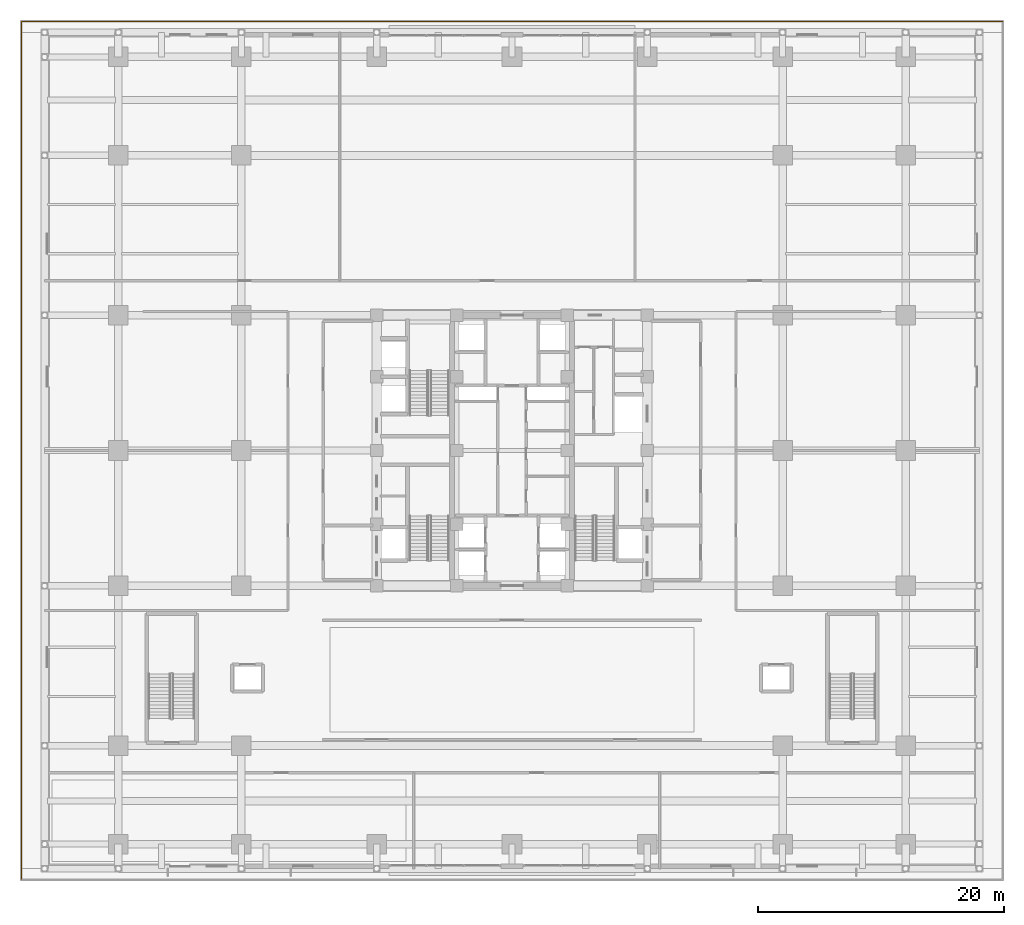
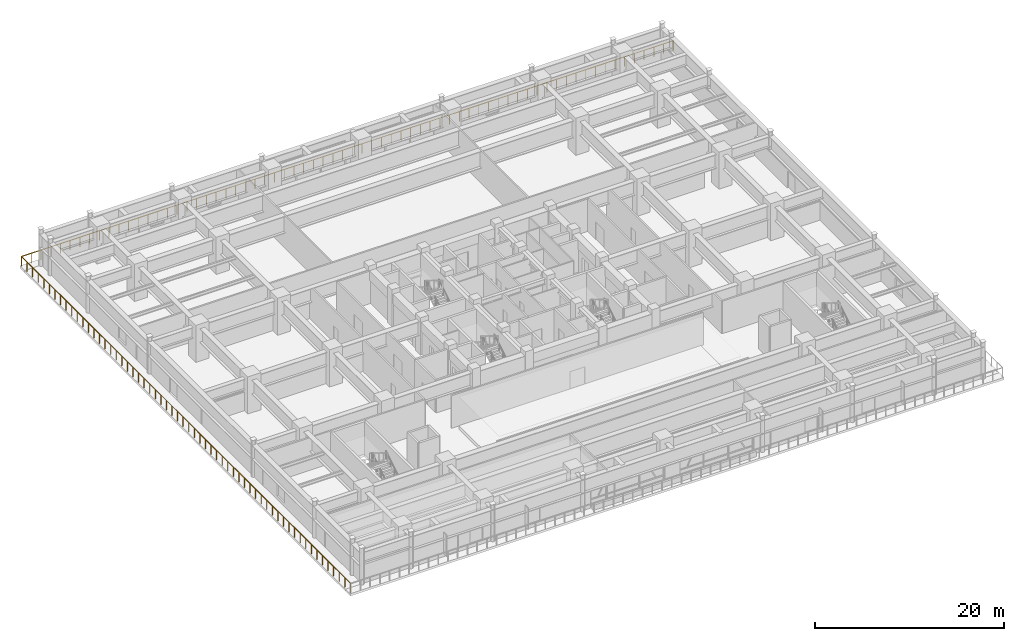
# One storey, part 32 of 35: 1 railing.
"""IFC4 building model written with IfcOpenShell, lengths in metres."""

from ifc_helpers import new_model, si_unit, direction, frame, origin, origin_2d, place, context, subcontext, project, spatial, circle, extrude, source, transform, mapped, material, type_object, element, save


model = new_model("IFC4")

# Units and contexts
model_context = context("Model", 3, precision=1e-05, world=origin(), true_north=direction((0.0, 1.0)))
body_context = subcontext(model_context, "Body", "Model", "MODEL_VIEW")
ifc_project = project(units=[si_unit("LENGTHUNIT", "METRE"), si_unit("AREAUNIT", "SQUARE_METRE"), si_unit("VOLUMEUNIT", "CUBIC_METRE"), si_unit("PLANEANGLEUNIT", "RADIAN"), si_unit("MASSUNIT", "GRAM", prefix="KILO")], contexts=[model_context])

# Site, building, storey
site_placement = place(None, origin())
site = spatial("IfcSite", under=ifc_project, at=site_placement, CompositionType="ELEMENT")
building_placement = place(site_placement, origin())
building = spatial("IfcBuilding", under=site, at=building_placement, Name="Khorayat Bourse Tower", CompositionType="ELEMENT")
storey_placement = place(building_placement, frame((0.0, 0.0, 22.199951171875)))
storey = spatial("IfcBuildingStorey", under=building, at=storey_placement, Name="L04", CompositionType="ELEMENT", Elevation=22.199951171875)

# Railing
ifc_material = material(Name="Laminated glass and bronze balustrade", Category="glass")
railing_type = type_object("IfcRailingType", Name="RLG-TERR-1250", PredefinedType="GUARDRAIL", material=ifc_material)
shared_shape = source(origin(), body_context, "Body", "SweptSolid", [
    extrude(circle(Radius=0.02392578125, at=origin_2d()), frame((0.0, 0.0, 1.22607421875), z_axis=(-1.0, 0.0, 0.0), x_axis=(0.0, -1.0, 0.0)), (0.0, 0.0, 1.0), 79.759765625),
    extrude(circle(Radius=0.02392578125, at=origin_2d()), frame((-79.759765625, 0.0, 1.22607421875), z_axis=(0.0, -1.0, 0.0), x_axis=(1.0, 0.0, 0.0)), (0.0, 0.0, 1.0), 69.699951171875),
    extrude(circle(Radius=0.02099609375, at=origin_2d()), origin(), (0.0, 0.0, 1.0), 1.201904296875),
    extrude(circle(Radius=0.02099609375, at=origin_2d()), frame((-1.1904296875, 0.0, 0.0)), (0.0, 0.0, 1.0), 1.201904296875),
    extrude(circle(Radius=0.02099609375, at=origin_2d()), frame((-2.380859375, 0.0, 0.0)), (0.0, 0.0, 1.0), 1.201904296875),
    extrude(circle(Radius=0.02099609375, at=origin_2d()), frame((-3.5712890625, 0.0, 0.0)), (0.0, 0.0, 1.0), 1.201904296875),
    extrude(circle(Radius=0.02099609375, at=origin_2d()), frame((-4.76171875, 0.0, 0.0)), (0.0, 0.0, 1.0), 1.201904296875),
    extrude(circle(Radius=0.02099609375, at=origin_2d()), frame((-5.9521484375, 0.0, 0.0)), (0.0, 0.0, 1.0), 1.201904296875),
    extrude(circle(Radius=0.02099609375, at=origin_2d()), frame((-7.142578125, 0.0, 0.0)), (0.0, 0.0, 1.0), 1.201904296875),
    extrude(circle(Radius=0.02099609375, at=origin_2d()), frame((-8.3330078125, 0.0, 0.0)), (0.0, 0.0, 1.0), 1.201904296875),
    extrude(circle(Radius=0.02099609375, at=origin_2d()), frame((-9.5234375, 0.0, 0.0)), (0.0, 0.0, 1.0), 1.201904296875),
    extrude(circle(Radius=0.02099609375, at=origin_2d()), frame((-10.714111328125, 0.0, 0.0)), (0.0, 0.0, 1.0), 1.201904296875),
    extrude(circle(Radius=0.02099609375, at=origin_2d()), frame((-11.904541015625, 0.0, 0.0)), (0.0, 0.0, 1.0), 1.201904296875),
    extrude(circle(Radius=0.02099609375, at=origin_2d()), frame((-13.094970703125, 0.0, 0.0)), (0.0, 0.0, 1.0), 1.201904296875),
    extrude(circle(Radius=0.02099609375, at=origin_2d()), frame((-14.285400390625, 0.0, 0.0)), (0.0, 0.0, 1.0), 1.201904296875),
    extrude(circle(Radius=0.02099609375, at=origin_2d()), frame((-15.475830078125, 0.0, 0.0)), (0.0, 0.0, 1.0), 1.201904296875),
    extrude(circle(Radius=0.02099609375, at=origin_2d()), frame((-16.666259765625, 0.0, 0.0)), (0.0, 0.0, 1.0), 1.201904296875),
    extrude(circle(Radius=0.02099609375, at=origin_2d()), frame((-17.856689453125, 0.0, 0.0)), (0.0, 0.0, 1.0), 1.201904296875),
    extrude(circle(Radius=0.02099609375, at=origin_2d()), frame((-19.047119140625, 0.0, 0.0)), (0.0, 0.0, 1.0), 1.201904296875),
    extrude(circle(Radius=0.02099609375, at=origin_2d()), frame((-20.237548828125, 0.0, 0.0)), (0.0, 0.0, 1.0), 1.201904296875),
    extrude(circle(Radius=0.02099609375, at=origin_2d()), frame((-21.427978515625, 0.0, 0.0)), (0.0, 0.0, 1.0), 1.201904296875),
    extrude(circle(Radius=0.02099609375, at=origin_2d()), frame((-22.618408203125, 0.0, 0.0)), (0.0, 0.0, 1.0), 1.201904296875),
    extrude(circle(Radius=0.02099609375, at=origin_2d()), frame((-23.808837890625, 0.0, 0.0)), (0.0, 0.0, 1.0), 1.201904296875),
    extrude(circle(Radius=0.02099609375, at=origin_2d()), frame((-24.999267578125, 0.0, 0.0)), (0.0, 0.0, 1.0), 1.201904296875),
    extrude(circle(Radius=0.02099609375, at=origin_2d()), frame((-26.189697265625, 0.0, 0.0)), (0.0, 0.0, 1.0), 1.201904296875),
    extrude(circle(Radius=0.02099609375, at=origin_2d()), frame((-27.380126953125, 0.0, 0.0)), (0.0, 0.0, 1.0), 1.201904296875),
    extrude(circle(Radius=0.02099609375, at=origin_2d()), frame((-28.570556640625, 0.0, 0.0)), (0.0, 0.0, 1.0), 1.201904296875),
    extrude(circle(Radius=0.02099609375, at=origin_2d()), frame((-29.760986328125, 0.0, 0.0)), (0.0, 0.0, 1.0), 1.201904296875),
    extrude(circle(Radius=0.02099609375, at=origin_2d()), frame((-30.95166015625, 0.0, 0.0)), (0.0, 0.0, 1.0), 1.201904296875),
    extrude(circle(Radius=0.02099609375, at=origin_2d()), frame((-32.14208984375, 0.0, 0.0)), (0.0, 0.0, 1.0), 1.201904296875),
    extrude(circle(Radius=0.02099609375, at=origin_2d()), frame((-33.33251953125, 0.0, 0.0)), (0.0, 0.0, 1.0), 1.201904296875),
    extrude(circle(Radius=0.02099609375, at=origin_2d()), frame((-34.52294921875, 0.0, 0.0)), (0.0, 0.0, 1.0), 1.201904296875),
    extrude(circle(Radius=0.02099609375, at=origin_2d()), frame((-35.71337890625, 0.0, 0.0)), (0.0, 0.0, 1.0), 1.201904296875),
    extrude(circle(Radius=0.02099609375, at=origin_2d()), frame((-36.90380859375, 0.0, 0.0)), (0.0, 0.0, 1.0), 1.201904296875),
    extrude(circle(Radius=0.02099609375, at=origin_2d()), frame((-38.09423828125, 0.0, 0.0)), (0.0, 0.0, 1.0), 1.201904296875),
    extrude(circle(Radius=0.02099609375, at=origin_2d()), frame((-39.28466796875, 0.0, 0.0)), (0.0, 0.0, 1.0), 1.201904296875),
    extrude(circle(Radius=0.02099609375, at=origin_2d()), frame((-40.47509765625, 0.0, 0.0)), (0.0, 0.0, 1.0), 1.201904296875),
    extrude(circle(Radius=0.02099609375, at=origin_2d()), frame((-41.66552734375, 0.0, 0.0)), (0.0, 0.0, 1.0), 1.201904296875),
    extrude(circle(Radius=0.02099609375, at=origin_2d()), frame((-42.85595703125, 0.0, 0.0)), (0.0, 0.0, 1.0), 1.201904296875),
    extrude(circle(Radius=0.02099609375, at=origin_2d()), frame((-44.04638671875, 0.0, 0.0)), (0.0, 0.0, 1.0), 1.201904296875),
    extrude(circle(Radius=0.02099609375, at=origin_2d()), frame((-45.23681640625, 0.0, 0.0)), (0.0, 0.0, 1.0), 1.201904296875),
    extrude(circle(Radius=0.02099609375, at=origin_2d()), frame((-46.42724609375, 0.0, 0.0)), (0.0, 0.0, 1.0), 1.201904296875),
    extrude(circle(Radius=0.02099609375, at=origin_2d()), frame((-47.61767578125, 0.0, 0.0)), (0.0, 0.0, 1.0), 1.201904296875),
    extrude(circle(Radius=0.02099609375, at=origin_2d()), frame((-48.80810546875, 0.0, 0.0)), (0.0, 0.0, 1.0), 1.201904296875),
    extrude(circle(Radius=0.02099609375, at=origin_2d()), frame((-49.998779296875, 0.0, 0.0)), (0.0, 0.0, 1.0), 1.201904296875),
    extrude(circle(Radius=0.02099609375, at=origin_2d()), frame((-51.189208984375, 0.0, 0.0)), (0.0, 0.0, 1.0), 1.201904296875),
    extrude(circle(Radius=0.02099609375, at=origin_2d()), frame((-52.379638671875, 0.0, 0.0)), (0.0, 0.0, 1.0), 1.201904296875),
    extrude(circle(Radius=0.02099609375, at=origin_2d()), frame((-53.570068359375, 0.0, 0.0)), (0.0, 0.0, 1.0), 1.201904296875),
    extrude(circle(Radius=0.02099609375, at=origin_2d()), frame((-54.760498046875, 0.0, 0.0)), (0.0, 0.0, 1.0), 1.201904296875),
    extrude(circle(Radius=0.02099609375, at=origin_2d()), frame((-55.950927734375, 0.0, 0.0)), (0.0, 0.0, 1.0), 1.201904296875),
    extrude(circle(Radius=0.02099609375, at=origin_2d()), frame((-57.141357421875, 0.0, 0.0)), (0.0, 0.0, 1.0), 1.201904296875),
    extrude(circle(Radius=0.02099609375, at=origin_2d()), frame((-58.331787109375, 0.0, 0.0)), (0.0, 0.0, 1.0), 1.201904296875),
    extrude(circle(Radius=0.02099609375, at=origin_2d()), frame((-59.522216796875, 0.0, 0.0)), (0.0, 0.0, 1.0), 1.201904296875),
    extrude(circle(Radius=0.02099609375, at=origin_2d()), frame((-60.712646484375, 0.0, 0.0)), (0.0, 0.0, 1.0), 1.201904296875),
    extrude(circle(Radius=0.02099609375, at=origin_2d()), frame((-61.903076171875, 0.0, 0.0)), (0.0, 0.0, 1.0), 1.201904296875),
    extrude(circle(Radius=0.02099609375, at=origin_2d()), frame((-63.093505859375, 0.0, 0.0)), (0.0, 0.0, 1.0), 1.201904296875),
    extrude(circle(Radius=0.02099609375, at=origin_2d()), frame((-64.283935546875, 0.0, 0.0)), (0.0, 0.0, 1.0), 1.201904296875),
    extrude(circle(Radius=0.02099609375, at=origin_2d()), frame((-65.474365234375, 0.0, 0.0)), (0.0, 0.0, 1.0), 1.201904296875),
    extrude(circle(Radius=0.02099609375, at=origin_2d()), frame((-66.664794921875, 0.0, 0.0)), (0.0, 0.0, 1.0), 1.201904296875),
    extrude(circle(Radius=0.02099609375, at=origin_2d()), frame((-67.855224609375, 0.0, 0.0)), (0.0, 0.0, 1.0), 1.201904296875),
    extrude(circle(Radius=0.02099609375, at=origin_2d()), frame((-69.045654296875, 0.0, 0.0)), (0.0, 0.0, 1.0), 1.201904296875),
    extrude(circle(Radius=0.02099609375, at=origin_2d()), frame((-70.236328125, 0.0, 0.0)), (0.0, 0.0, 1.0), 1.201904296875),
    extrude(circle(Radius=0.02099609375, at=origin_2d()), frame((-71.4267578125, 0.0, 0.0)), (0.0, 0.0, 1.0), 1.201904296875),
    extrude(circle(Radius=0.02099609375, at=origin_2d()), frame((-72.6171875, 0.0, 0.0)), (0.0, 0.0, 1.0), 1.201904296875),
    extrude(circle(Radius=0.02099609375, at=origin_2d()), frame((-73.8076171875, 0.0, 0.0)), (0.0, 0.0, 1.0), 1.201904296875),
    extrude(circle(Radius=0.02099609375, at=origin_2d()), frame((-74.998046875, 0.0, 0.0)), (0.0, 0.0, 1.0), 1.201904296875),
    extrude(circle(Radius=0.02099609375, at=origin_2d()), frame((-76.1884765625, 0.0, 0.0)), (0.0, 0.0, 1.0), 1.201904296875),
    extrude(circle(Radius=0.02099609375, at=origin_2d()), frame((-77.37890625, 0.0, 0.0)), (0.0, 0.0, 1.0), 1.201904296875),
    extrude(circle(Radius=0.02099609375, at=origin_2d()), frame((-78.5693359375, 0.0, 0.0)), (0.0, 0.0, 1.0), 1.201904296875),
    extrude(circle(Radius=0.02099609375, at=origin_2d()), frame((-79.759765625, 0.0, 0.0)), (0.0, 0.0, 1.0), 1.201904296875),
    extrude(circle(Radius=0.02099609375, at=origin_2d()), frame((-79.759765625, -1.181396484375, 0.0)), (0.0, 0.0, 1.0), 1.201904296875),
    extrude(circle(Radius=0.02099609375, at=origin_2d()), frame((-79.759765625, -2.36279296875, 0.0)), (0.0, 0.0, 1.0), 1.201904296875),
    extrude(circle(Radius=0.02099609375, at=origin_2d()), frame((-79.759765625, -3.5439453125, 0.0)), (0.0, 0.0, 1.0), 1.201904296875),
    extrude(circle(Radius=0.02099609375, at=origin_2d()), frame((-79.759765625, -4.725341796875, 0.0)), (0.0, 0.0, 1.0), 1.201904296875),
    extrude(circle(Radius=0.02099609375, at=origin_2d()), frame((-79.759765625, -5.90673828125, 0.0)), (0.0, 0.0, 1.0), 1.201904296875),
    extrude(circle(Radius=0.02099609375, at=origin_2d()), frame((-79.759765625, -7.088134765625, 0.0)), (0.0, 0.0, 1.0), 1.201904296875),
    extrude(circle(Radius=0.02099609375, at=origin_2d()), frame((-79.759765625, -8.26953125, 0.0)), (0.0, 0.0, 1.0), 1.201904296875),
    extrude(circle(Radius=0.02099609375, at=origin_2d()), frame((-79.759765625, -9.450927734375, 0.0)), (0.0, 0.0, 1.0), 1.201904296875),
    extrude(circle(Radius=0.02099609375, at=origin_2d()), frame((-79.759765625, -10.632080078125, 0.0)), (0.0, 0.0, 1.0), 1.201904296875),
    extrude(circle(Radius=0.02099609375, at=origin_2d()), frame((-79.759765625, -11.8134765625, 0.0)), (0.0, 0.0, 1.0), 1.201904296875),
    extrude(circle(Radius=0.02099609375, at=origin_2d()), frame((-79.759765625, -12.994873046875, 0.0)), (0.0, 0.0, 1.0), 1.201904296875),
    extrude(circle(Radius=0.02099609375, at=origin_2d()), frame((-79.759765625, -14.17626953125, 0.0)), (0.0, 0.0, 1.0), 1.201904296875),
    extrude(circle(Radius=0.02099609375, at=origin_2d()), frame((-79.759765625, -15.357666015625, 0.0)), (0.0, 0.0, 1.0), 1.201904296875),
    extrude(circle(Radius=0.02099609375, at=origin_2d()), frame((-79.759765625, -16.5390625, 0.0)), (0.0, 0.0, 1.0), 1.201904296875),
    extrude(circle(Radius=0.02099609375, at=origin_2d()), frame((-79.759765625, -17.72021484375, 0.0)), (0.0, 0.0, 1.0), 1.201904296875),
    extrude(circle(Radius=0.02099609375, at=origin_2d()), frame((-79.759765625, -18.901611328125, 0.0)), (0.0, 0.0, 1.0), 1.201904296875),
    extrude(circle(Radius=0.02099609375, at=origin_2d()), frame((-79.759765625, -20.0830078125, 0.0)), (0.0, 0.0, 1.0), 1.201904296875),
    extrude(circle(Radius=0.02099609375, at=origin_2d()), frame((-79.759765625, -21.264404296875, 0.0)), (0.0, 0.0, 1.0), 1.201904296875),
    extrude(circle(Radius=0.02099609375, at=origin_2d()), frame((-79.759765625, -22.44580078125, 0.0)), (0.0, 0.0, 1.0), 1.201904296875),
    extrude(circle(Radius=0.02099609375, at=origin_2d()), frame((-79.759765625, -23.627197265625, 0.0)), (0.0, 0.0, 1.0), 1.201904296875),
    extrude(circle(Radius=0.02099609375, at=origin_2d()), frame((-79.759765625, -24.808349609375, 0.0)), (0.0, 0.0, 1.0), 1.201904296875),
    extrude(circle(Radius=0.02099609375, at=origin_2d()), frame((-79.759765625, -25.98974609375, 0.0)), (0.0, 0.0, 1.0), 1.201904296875),
    extrude(circle(Radius=0.02099609375, at=origin_2d()), frame((-79.759765625, -27.171142578125, 0.0)), (0.0, 0.0, 1.0), 1.201904296875),
    extrude(circle(Radius=0.02099609375, at=origin_2d()), frame((-79.759765625, -28.3525390625, 0.0)), (0.0, 0.0, 1.0), 1.201904296875),
    extrude(circle(Radius=0.02099609375, at=origin_2d()), frame((-79.759765625, -29.533935546875, 0.0)), (0.0, 0.0, 1.0), 1.201904296875),
    extrude(circle(Radius=0.02099609375, at=origin_2d()), frame((-79.759765625, -30.71533203125, 0.0)), (0.0, 0.0, 1.0), 1.201904296875),
    extrude(circle(Radius=0.02099609375, at=origin_2d()), frame((-79.759765625, -31.896484375, 0.0)), (0.0, 0.0, 1.0), 1.201904296875),
    extrude(circle(Radius=0.02099609375, at=origin_2d()), frame((-79.759765625, -33.077880859375, 0.0)), (0.0, 0.0, 1.0), 1.201904296875),
    extrude(circle(Radius=0.02099609375, at=origin_2d()), frame((-79.759765625, -34.25927734375, 0.0)), (0.0, 0.0, 1.0), 1.201904296875),
    extrude(circle(Radius=0.02099609375, at=origin_2d()), frame((-79.759765625, -35.440673828125, 0.0)), (0.0, 0.0, 1.0), 1.201904296875),
    extrude(circle(Radius=0.02099609375, at=origin_2d()), frame((-79.759765625, -36.6220703125, 0.0)), (0.0, 0.0, 1.0), 1.201904296875),
    extrude(circle(Radius=0.02099609375, at=origin_2d()), frame((-79.759765625, -37.803466796875, 0.0)), (0.0, 0.0, 1.0), 1.201904296875),
    extrude(circle(Radius=0.02099609375, at=origin_2d()), frame((-79.759765625, -38.984619140625, 0.0)), (0.0, 0.0, 1.0), 1.201904296875),
    extrude(circle(Radius=0.02099609375, at=origin_2d()), frame((-79.759765625, -40.166015625, 0.0)), (0.0, 0.0, 1.0), 1.201904296875),
    extrude(circle(Radius=0.02099609375, at=origin_2d()), frame((-79.759765625, -41.347412109375, 0.0)), (0.0, 0.0, 1.0), 1.201904296875),
    extrude(circle(Radius=0.02099609375, at=origin_2d()), frame((-79.759765625, -42.52880859375, 0.0)), (0.0, 0.0, 1.0), 1.201904296875),
    extrude(circle(Radius=0.02099609375, at=origin_2d()), frame((-79.759765625, -43.710205078125, 0.0)), (0.0, 0.0, 1.0), 1.201904296875),
    extrude(circle(Radius=0.02099609375, at=origin_2d()), frame((-79.759765625, -44.8916015625, 0.0)), (0.0, 0.0, 1.0), 1.201904296875),
    extrude(circle(Radius=0.02099609375, at=origin_2d()), frame((-79.759765625, -46.07275390625, 0.0)), (0.0, 0.0, 1.0), 1.201904296875),
    extrude(circle(Radius=0.02099609375, at=origin_2d()), frame((-79.759765625, -47.254150390625, 0.0)), (0.0, 0.0, 1.0), 1.201904296875),
    extrude(circle(Radius=0.02099609375, at=origin_2d()), frame((-79.759765625, -48.435546875, 0.0)), (0.0, 0.0, 1.0), 1.201904296875),
    extrude(circle(Radius=0.02099609375, at=origin_2d()), frame((-79.759765625, -49.616943359375, 0.0)), (0.0, 0.0, 1.0), 1.201904296875),
    extrude(circle(Radius=0.02099609375, at=origin_2d()), frame((-79.759765625, -50.79833984375, 0.0)), (0.0, 0.0, 1.0), 1.201904296875),
    extrude(circle(Radius=0.02099609375, at=origin_2d()), frame((-79.759765625, -51.979736328125, 0.0)), (0.0, 0.0, 1.0), 1.201904296875),
    extrude(circle(Radius=0.02099609375, at=origin_2d()), frame((-79.759765625, -53.160888671875, 0.0)), (0.0, 0.0, 1.0), 1.201904296875),
    extrude(circle(Radius=0.02099609375, at=origin_2d()), frame((-79.759765625, -54.34228515625, 0.0)), (0.0, 0.0, 1.0), 1.201904296875),
    extrude(circle(Radius=0.02099609375, at=origin_2d()), frame((-79.759765625, -55.523681640625, 0.0)), (0.0, 0.0, 1.0), 1.201904296875),
    extrude(circle(Radius=0.02099609375, at=origin_2d()), frame((-79.759765625, -56.705078125, 0.0)), (0.0, 0.0, 1.0), 1.201904296875),
    extrude(circle(Radius=0.02099609375, at=origin_2d()), frame((-79.759765625, -57.886474609375, 0.0)), (0.0, 0.0, 1.0), 1.201904296875),
    extrude(circle(Radius=0.02099609375, at=origin_2d()), frame((-79.759765625, -59.06787109375, 0.0)), (0.0, 0.0, 1.0), 1.201904296875),
    extrude(circle(Radius=0.02099609375, at=origin_2d()), frame((-79.759765625, -60.2490234375, 0.0)), (0.0, 0.0, 1.0), 1.201904296875),
    extrude(circle(Radius=0.02099609375, at=origin_2d()), frame((-79.759765625, -61.430419921875, 0.0)), (0.0, 0.0, 1.0), 1.201904296875),
    extrude(circle(Radius=0.02099609375, at=origin_2d()), frame((-79.759765625, -62.61181640625, 0.0)), (0.0, 0.0, 1.0), 1.201904296875),
    extrude(circle(Radius=0.02099609375, at=origin_2d()), frame((-79.759765625, -63.793212890625, 0.0)), (0.0, 0.0, 1.0), 1.201904296875),
    extrude(circle(Radius=0.02099609375, at=origin_2d()), frame((-79.759765625, -64.974609375, 0.0)), (0.0, 0.0, 1.0), 1.201904296875),
    extrude(circle(Radius=0.02099609375, at=origin_2d()), frame((-79.759765625, -66.156005859375, 0.0)), (0.0, 0.0, 1.0), 1.201904296875),
    extrude(circle(Radius=0.02099609375, at=origin_2d()), frame((-79.759765625, -67.337158203125, 0.0)), (0.0, 0.0, 1.0), 1.201904296875),
    extrude(circle(Radius=0.02099609375, at=origin_2d()), frame((-79.759765625, -68.5185546875, 0.0)), (0.0, 0.0, 1.0), 1.201904296875),
    extrude(circle(Radius=0.02099609375, at=origin_2d()), frame((-79.759765625, -69.699951171875, 0.0)), (0.0, 0.0, 1.0), 1.201904296875),
])
railing_placement = place(storey_placement, frame((39.8798828125, 34.8798828125, 0.0)))
element("IfcRailing", 1, at=railing_placement, inside=storey, type_object=railing_type, Name="L04 Cascading Terrace Perimeter Guard NW", PredefinedType="GUARDRAIL", context=body_context, shape_type="MappedRepresentation", body=[
    mapped(shared_shape, transform((0.0, 0.0, 0.0), scale=1.0)),
])

save(model, "model.ifc")
